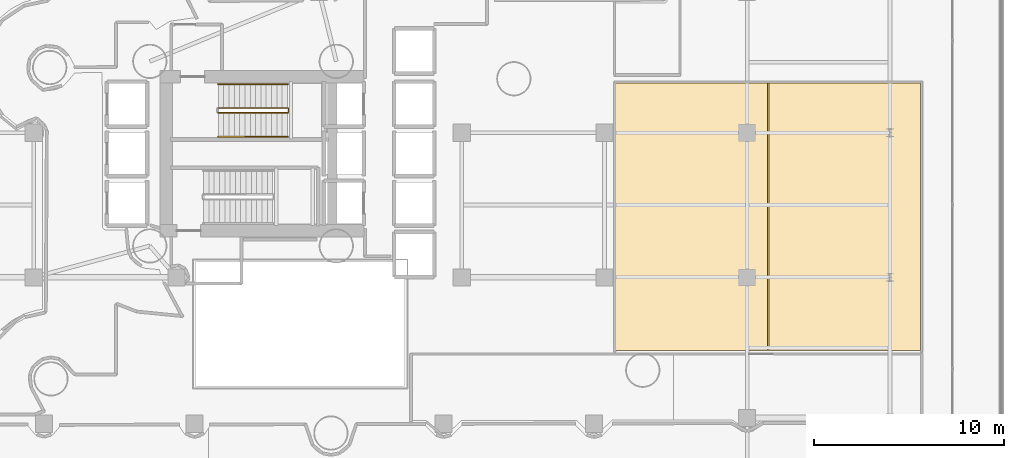
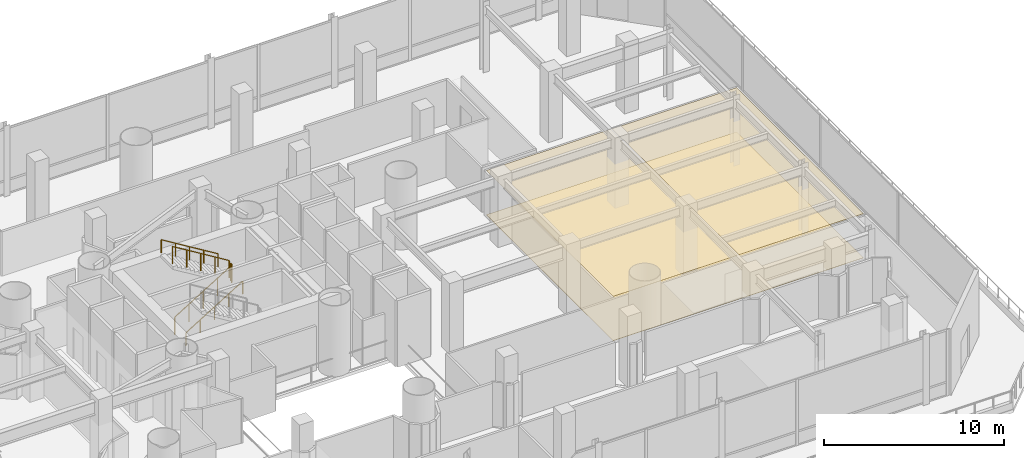
# One storey, part 37 of 39: 5 railings, 3 coverings.
"""IFC4 building model written with IfcOpenShell, lengths in metres."""

from ifc_helpers import new_model, si_unit, direction, frame, origin, origin_2d, place, context, subcontext, project, spatial, polyline, rectangle, outline, extrude, material, layer, layer_set, type_object, element, save


model = new_model("IFC4")

# Units and contexts
model_context = context("Model", 3, precision=1e-05, world=origin(), true_north=direction((0.0, 1.0)))
body_context = subcontext(model_context, "Body", "Model", "MODEL_VIEW")
ifc_project = project(units=[si_unit("LENGTHUNIT", "METRE"), si_unit("AREAUNIT", "SQUARE_METRE"), si_unit("VOLUMEUNIT", "CUBIC_METRE"), si_unit("PLANEANGLEUNIT", "RADIAN"), si_unit("MASSUNIT", "GRAM", prefix="KILO")], contexts=[model_context])

# Site, building, storey
site_placement = place(None, origin())
site = spatial("IfcSite", under=ifc_project, at=site_placement, CompositionType="ELEMENT")
building_placement = place(site_placement, origin())
building = spatial("IfcBuilding", under=site, at=building_placement, Name="Qianvela Tower", CompositionType="ELEMENT")
storey_placement = place(building_placement, frame((0.0, 0.0, 15.800048828125)))
storey = spatial("IfcBuildingStorey", under=building, at=storey_placement, Name="L03", CompositionType="ELEMENT", Elevation=15.800048828125)

# Coverings
ifc_material_1 = material(Name="Perforated Mineral Acoustic Ceiling Tile")
ifc_layer_1 = layer(ifc_material_1, 0.02490234375)
ifc_layer_set_1 = layer_set([ifc_layer_1], Name="Perforated Mineral Acoustic Ceiling Tile")
covering_type_1 = type_object("IfcCoveringType", Name="COV-CEIL-ACOUSTIC-25", PredefinedType="CEILING", material=ifc_layer_set_1)
covering_1_placement = place(storey_placement, frame((0.0, 0.0, 2.994873046875)))
element("IfcCovering", 1, at=covering_1_placement, inside=storey, type_object=covering_type_1, Name="L03 Acoustic Ceiling Bay 1 L03 Open-Stack Reference Library", PredefinedType="CEILING", context=body_context, shape_type="SweptSolid", body=[
    extrude(outline(polyline([(53.080078125, 18.342041015625), (53.080078125, 32.419921875), (61.06005859375, 32.419921875), (61.06005859375, 18.342041015625), (53.080078125, 18.342041015625)])), origin(), (0.0, 0.0, 1.0), 0.025146484375),
])
covering_2_placement = place(storey_placement, frame((0.0, 0.0, 2.994873046875)))
element("IfcCovering", 2, at=covering_2_placement, inside=storey, type_object=covering_type_1, Name="L03 Acoustic Ceiling Bay 2 L03 Open-Stack Reference Library", PredefinedType="CEILING", context=body_context, shape_type="SweptSolid", body=[
    extrude(outline(polyline([(61.139892578125, 18.342041015625), (61.139892578125, 32.419921875), (69.1201171875, 32.419921875), (69.1201171875, 18.342041015625), (61.139892578125, 18.342041015625)])), origin(), (0.0, 0.0, 1.0), 0.025146484375),
])
ifc_material_2 = material(Name="Engineered Acoustic Oak Timber Flooring", Category="wood")
ifc_layer_2 = layer(ifc_material_2, 0.02001953125)
ifc_layer_set_2 = layer_set([ifc_layer_2], Name="Engineered Acoustic Oak Timber Flooring")
covering_type_2 = type_object("IfcCoveringType", Name="COV-FLOOR-OAK-20", PredefinedType="FLOORING", material=ifc_layer_set_2)
covering_3_placement = place(storey_placement, origin())
element("IfcCovering", 3, at=covering_3_placement, inside=storey, type_object=covering_type_2, Name="L03 Finish Flooring L03 Open-Stack Reference Library", PredefinedType="FLOORING", context=body_context, shape_type="SweptSolid", body=[
    extrude(outline(polyline([(69.1201171875, 18.342041015625), (53.080078125, 18.342041015625), (53.080078125, 32.419921875), (69.1201171875, 32.419921875), (69.1201171875, 18.342041015625)])), origin(), (0.0, 0.0, 1.0), 0.02001953125),
])

# Railings
ifc_material_3 = material(Name="Painted Tubular Steel Q355B", Category="steel")
railing_type_1 = type_object("IfcRailingType", Name="RL-STAIR-GUARD-1200", PredefinedType="GUARDRAIL", material=ifc_material_3)
railing_1_placement = place(storey_placement, frame((32.199951171875, 30.840087890625, 0.17138671875)))
element("IfcRailing", 4, at=railing_1_placement, inside=storey, type_object=railing_type_1, Name="L03 ST-1 stair guard 1", PredefinedType="GUARDRAIL", context=body_context, shape_type="SweptSolid", body=[
    extrude(rectangle(XDim=0.050048828125, YDim=0.0400390625, at=origin_2d()), frame((0.0, 0.0, 1.179931640625), z_axis=(0.852865859571, 0.0, 0.52213008492), x_axis=(0.0, 1.0, 0.0)), (0.0, 0.0, 1.0), 4.26806640625),
    extrude(rectangle(XDim=0.050048828125, YDim=0.050048828125, at=origin_2d()), origin(), (0.0, 0.0, 1.0), 1.159912109375),
    extrude(rectangle(XDim=0.050048828125, YDim=0.050048828125, at=origin_2d()), frame((0.91015625, 0.0, 0.55712890625)), (0.0, 0.0, 1.0), 1.159912109375),
    extrude(rectangle(XDim=0.050048828125, YDim=0.050048828125, at=origin_2d()), frame((1.820068359375, 0.0, 1.1142578125)), (0.0, 0.0, 1.0), 1.159912109375),
    extrude(rectangle(XDim=0.050048828125, YDim=0.050048828125, at=origin_2d()), frame((2.72998046875, 0.0, 1.67138671875)), (0.0, 0.0, 1.0), 1.159912109375),
    extrude(rectangle(XDim=0.050048828125, YDim=0.050048828125, at=origin_2d()), frame((3.64013671875, 0.0, 2.228515625)), (0.0, 0.0, 1.0), 1.159912109375),
])
railing_2_placement = place(storey_placement, frame((35.889892578125, 30.889892578125, 2.39990234375)))
element("IfcRailing", 5, at=railing_2_placement, inside=storey, type_object=railing_type_1, Name="L03 ST-1 stair guard 2", PredefinedType="GUARDRAIL", context=body_context, shape_type="SweptSolid", body=[
    extrude(rectangle(XDim=0.050048828125, YDim=0.0400390625, at=origin_2d()), frame((0.0, 0.0, 1.179931640625), z_axis=(0.0, 1.0, 0.0), x_axis=(-1.0, 0.0, 0.0)), (0.0, 0.0, 1.0), 0.16015625),
    extrude(rectangle(XDim=0.050048828125, YDim=0.050048828125, at=origin_2d()), origin(), (0.0, 0.0, 1.0), 1.159912109375),
    extrude(rectangle(XDim=0.050048828125, YDim=0.050048828125, at=origin_2d()), frame((0.0, 0.16015625, 0.0)), (0.0, 0.0, 1.0), 1.159912109375),
])
railing_3_placement = place(storey_placement, frame((35.840087890625, 31.10009765625, 2.5712890625)))
element("IfcRailing", 6, at=railing_3_placement, inside=storey, type_object=railing_type_1, Name="L03 ST-1 stair guard 3", PredefinedType="GUARDRAIL", context=body_context, shape_type="SweptSolid", body=[
    extrude(rectangle(XDim=0.050048828125, YDim=0.0400390625, at=origin_2d()), frame((0.0, 0.0, 1.179931640625), z_axis=(-0.852840387347, 0.0, 0.522171689878), x_axis=(0.0, -1.0, 0.0)), (0.0, 0.0, 1.0), 4.268310546875),
    extrude(rectangle(XDim=0.050048828125, YDim=0.050048828125, at=origin_2d()), origin(), (0.0, 0.0, 1.0), 1.159912109375),
    extrude(rectangle(XDim=0.050048828125, YDim=0.050048828125, at=origin_2d()), frame((-0.91015625, 0.0, 0.55712890625)), (0.0, 0.0, 1.0), 1.159912109375),
    extrude(rectangle(XDim=0.050048828125, YDim=0.050048828125, at=origin_2d()), frame((-1.820068359375, 0.0, 1.1142578125)), (0.0, 0.0, 1.0), 1.159912109375),
    extrude(rectangle(XDim=0.050048828125, YDim=0.050048828125, at=origin_2d()), frame((-2.72998046875, 0.0, 1.671630859375)), (0.0, 0.0, 1.0), 1.159912109375),
    extrude(rectangle(XDim=0.050048828125, YDim=0.050048828125, at=origin_2d()), frame((-3.64013671875, 0.0, 2.228759765625)), (0.0, 0.0, 1.0), 1.159912109375),
])
ifc_material_4 = material(Name="Brushed Stainless Steel 304", Category="steel")
railing_type_2 = type_object("IfcRailingType", Name="RL-STAIR-HANDRAIL-900", PredefinedType="HANDRAIL", material=ifc_material_4)
railing_4_placement = place(storey_placement, frame((32.199951171875, 29.590087890625, 0.17138671875)))
element("IfcRailing", 7, at=railing_4_placement, inside=storey, type_object=railing_type_2, Name="L03 ST-1 stair handrail 1", PredefinedType="HANDRAIL", context=body_context, shape_type="SweptSolid", body=[
    extrude(rectangle(XDim=0.050048828125, YDim=0.0400390625, at=origin_2d()), frame((0.0, 0.0, 0.8798828125), z_axis=(0.852865859571, 0.0, 0.52213008492), x_axis=(0.0, 1.0, 0.0)), (0.0, 0.0, 1.0), 4.26806640625),
    extrude(rectangle(XDim=0.050048828125, YDim=0.050048828125, at=origin_2d()), origin(), (0.0, 0.0, 1.0), 0.85986328125),
    extrude(rectangle(XDim=0.050048828125, YDim=0.050048828125, at=origin_2d()), frame((0.91015625, 0.0, 0.55712890625)), (0.0, 0.0, 1.0), 0.85986328125),
    extrude(rectangle(XDim=0.050048828125, YDim=0.050048828125, at=origin_2d()), frame((1.820068359375, 0.0, 1.1142578125)), (0.0, 0.0, 1.0), 0.85986328125),
    extrude(rectangle(XDim=0.050048828125, YDim=0.050048828125, at=origin_2d()), frame((2.72998046875, 0.0, 1.67138671875)), (0.0, 0.0, 1.0), 0.85986328125),
    extrude(rectangle(XDim=0.050048828125, YDim=0.050048828125, at=origin_2d()), frame((3.64013671875, 0.0, 2.228515625)), (0.0, 0.0, 1.0), 0.85986328125),
])
railing_5_placement = place(storey_placement, frame((35.840087890625, 32.35009765625, 2.5712890625)))
element("IfcRailing", 8, at=railing_5_placement, inside=storey, type_object=railing_type_2, Name="L03 ST-1 stair handrail 2", PredefinedType="HANDRAIL", context=body_context, shape_type="SweptSolid", body=[
    extrude(rectangle(XDim=0.050048828125, YDim=0.0400390625, at=origin_2d()), frame((0.0, 0.0, 0.8798828125), z_axis=(-0.852840387347, 0.0, 0.522171689878), x_axis=(0.0, -1.0, 0.0)), (0.0, 0.0, 1.0), 4.268310546875),
    extrude(rectangle(XDim=0.050048828125, YDim=0.050048828125, at=origin_2d()), origin(), (0.0, 0.0, 1.0), 0.85986328125),
    extrude(rectangle(XDim=0.050048828125, YDim=0.050048828125, at=origin_2d()), frame((-0.91015625, 0.0, 0.55712890625)), (0.0, 0.0, 1.0), 0.85986328125),
    extrude(rectangle(XDim=0.050048828125, YDim=0.050048828125, at=origin_2d()), frame((-1.820068359375, 0.0, 1.1142578125)), (0.0, 0.0, 1.0), 0.85986328125),
    extrude(rectangle(XDim=0.050048828125, YDim=0.050048828125, at=origin_2d()), frame((-2.72998046875, 0.0, 1.671630859375)), (0.0, 0.0, 1.0), 0.85986328125),
    extrude(rectangle(XDim=0.050048828125, YDim=0.050048828125, at=origin_2d()), frame((-3.64013671875, 0.0, 2.228759765625)), (0.0, 0.0, 1.0), 0.85986328125),
])

save(model, "model.ifc")
